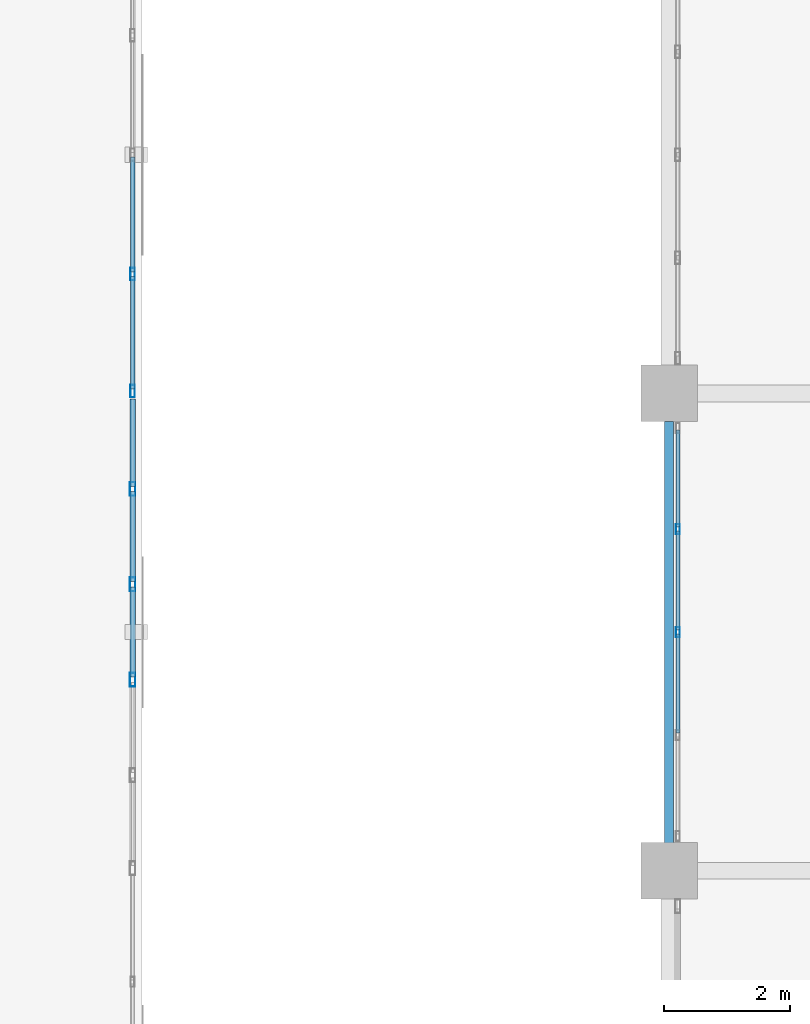
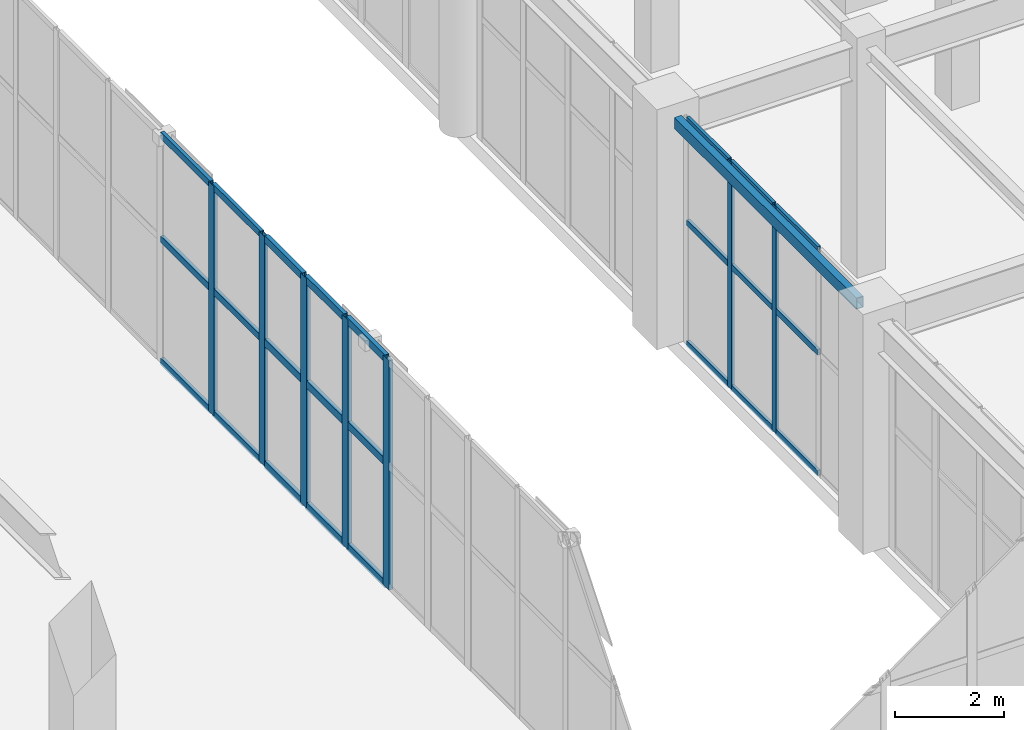
# One storey, part 27 of 139: 31 members, 1 beam, 3 elements without a shape of their own.
"""IFC4 building model written with IfcOpenShell, lengths in metres."""

import ifcopenshell
import ifcopenshell.guid

model = None  # the IFC model being written
_history = None  # IfcOwnerHistory: only IFC2X3 demands one
_inside = {}  # id of a spatial element -> (the spatial element, [elements in it])
_under = {}  # id of a project, library or spatial element -> (it, [spatial elements below it])
_declared = {}  # id of a project -> (the project, [libraries it declares])
_typed = {}  # id of a type object -> (the type object, [elements of that type])
_made_of = {}  # id of a material, layer set ... -> (it, [elements and type objects made of it])


def new_model(schema):
    """Start an empty IFC model of exactly this schema.

    Asked for "IFC4X3", IfcOpenShell would pick the latest addendum, in which some entities
    have other attributes; the version numbers below select the first issue.
    IFC2X3 requires an IfcOwnerHistory on every rooted entity: one is made here for all.
    """
    global model, _history
    if schema == "IFC4X3":
        model = ifcopenshell.file(schema_version=(4, 3, 0, 0))
    else:
        model = ifcopenshell.file(schema=schema)
    _inside.clear()
    _under.clear()
    _declared.clear()
    _typed.clear()
    _made_of.clear()
    _history = None
    if model.schema == "IFC2X3":
        org = make("IfcOrganization", Name="unknown")
        user = make(
            "IfcPersonAndOrganization",
            ThePerson=make("IfcPerson", FamilyName="unknown"),
            TheOrganization=org,
        )
        app = make(
            "IfcApplication",
            ApplicationDeveloper=org,
            Version="unknown",
            ApplicationFullName="unknown",
            ApplicationIdentifier="unknown",
        )
        _history = make(
            "IfcOwnerHistory",
            OwningUser=user,
            OwningApplication=app,
            ChangeAction="ADDED",
            CreationDate=0,
        )
    return model


def make(cls, **values):
    """One entity of the class cls with the attributes given. An attribute that is None is left unset."""
    return model.create_entity(
        cls, **{name: value for name, value in values.items() if value is not None}
    )


def rooted(cls, **values):
    """An entity with a GlobalId (a new one), such as an element, a storey or a relation."""
    return make(cls, GlobalId=ifcopenshell.guid.new(), OwnerHistory=_history, **values)


def si_unit(unit_type, name, prefix=None):
    """IfcSIUnit, for example si_unit("LENGTHUNIT", "METRE", prefix="MILLI")."""
    return make("IfcSIUnit", UnitType=unit_type, Prefix=prefix, Name=name)


def assignment(units):
    """IfcUnitAssignment: the units of a project."""
    return None if units is None else make("IfcUnitAssignment", Units=units)


def point(xyz):
    """IfcCartesianPoint."""
    return None if xyz is None else make("IfcCartesianPoint", Coordinates=xyz)


def direction(xyz):
    """IfcDirection."""
    return None if xyz is None else make("IfcDirection", DirectionRatios=xyz)


def frame(location, z_axis=None, x_axis=None):
    """IfcAxis2Placement3D, a coordinate frame: its origin and axes. An axis left out is left unset."""
    return make(
        "IfcAxis2Placement3D",
        Location=point(location),
        Axis=direction(z_axis),
        RefDirection=direction(x_axis),
    )


def frame_2d(location, x_axis=None):
    """IfcAxis2Placement2D, a coordinate frame in the plane: its origin and x axis."""
    return make(
        "IfcAxis2Placement2D", Location=point(location), RefDirection=direction(x_axis)
    )


def origin():
    """The frame at (0, 0, 0) with its axes left unset."""
    return frame((0.0, 0.0, 0.0))


def origin_2d():
    """The frame at (0, 0) in the plane with its x axis left unset."""
    return frame_2d((0.0, 0.0))


def place(relative_to, where):
    """IfcLocalPlacement: puts the frame where relative to a parent placement (None: the world)."""
    return make(
        "IfcLocalPlacement", PlacementRelTo=relative_to, RelativePlacement=where
    )


def context(
    kind, dimensions, precision=None, world=None, true_north=None, identifier=None
):
    """IfcGeometricRepresentationContext, for example the 3D "Model" context."""
    return make(
        "IfcGeometricRepresentationContext",
        ContextIdentifier=identifier,
        ContextType=kind,
        CoordinateSpaceDimension=dimensions,
        Precision=precision,
        WorldCoordinateSystem=world,
        TrueNorth=true_north,
    )


def subcontext(parent, identifier, kind, view, scale=None):
    """IfcGeometricRepresentationSubContext, for example "Body" below "Model"."""
    return make(
        "IfcGeometricRepresentationSubContext",
        ContextIdentifier=identifier,
        ContextType=kind,
        ParentContext=parent,
        TargetScale=scale,
        TargetView=view,
    )


def project(units=None, contexts=None):
    """IfcProject with its units and contexts."""
    return rooted(
        "IfcProject",
        Name="project",
        RepresentationContexts=contexts,
        UnitsInContext=assignment(units),
    )


def spatial(cls, under=None, at=None, **own):
    """A site, building, storey or space (cls), placed at a placement, below another one or the project."""
    s = rooted(cls, ObjectPlacement=at, **own)
    if under is not None:
        _under.setdefault(under.id(), (under, []))[1].append(s)
    return s


def profile(cls, at=None, kind="AREA", **sizes):
    """A parametric profile (cls). Its sizes go by their IFC names, for example OverallWidth=200.0."""
    return make(cls, ProfileType=kind, Position=at, **sizes)


def hollow_rectangle(**sizes):
    """IfcRectangleHollowProfileDef."""
    return profile("IfcRectangleHollowProfileDef", **sizes)


def extrude(swept, where, along, depth):
    """IfcExtrudedAreaSolid: the profile swept, set in the frame where, extruded along a direction by depth."""
    return make(
        "IfcExtrudedAreaSolid",
        SweptArea=swept,
        Position=where,
        ExtrudedDirection=direction(along),
        Depth=depth,
    )


def shape(context_of_items, identifier, shape_type, items):
    """IfcShapeRepresentation: the items that make up one representation, for example the "Body"."""
    return make(
        "IfcShapeRepresentation",
        ContextOfItems=context_of_items,
        RepresentationIdentifier=identifier,
        RepresentationType=shape_type,
        Items=items,
    )


def material(Name=None, Category=None):
    """IfcMaterial."""
    return make("IfcMaterial", Name=Name, Category=Category)


def layer(
    of_material, thickness, ventilated=None, Name=None, Category=None, Priority=None
):
    """IfcMaterialLayer: one layer of a wall or slab, of a material (None: an air gap)."""
    return make(
        "IfcMaterialLayer",
        Material=of_material,
        LayerThickness=thickness,
        IsVentilated=ventilated,
        Name=Name,
        Category=Category,
        Priority=Priority,
    )


def layer_set(layers, Name=None):
    """IfcMaterialLayerSet."""
    return make("IfcMaterialLayerSet", MaterialLayers=layers, LayerSetName=Name)


def material_profile(
    of_material, cross_section, Name=None, Category=None, Priority=None
):
    """IfcMaterialProfile: a cross section and its material."""
    return make(
        "IfcMaterialProfile",
        Name=Name,
        Material=of_material,
        Profile=cross_section,
        Priority=Priority,
        Category=Category,
    )


def profile_set(profiles, Name=None, composite=None):
    """IfcMaterialProfileSet."""
    return make(
        "IfcMaterialProfileSet",
        Name=Name,
        MaterialProfiles=profiles,
        CompositeProfile=composite,
    )


def made_of(thing, what):
    """Note that an element or type object is made of a material, layer set ...; save() writes the relation."""
    if what is not None:
        _made_of.setdefault(what.id(), (what, []))[1].append(thing)
    return thing


def type_object(cls, material=None, **own):
    """A type object (cls), such as IfcWallType, which elements share."""
    return made_of(rooted(cls, **own), material)


def element(
    cls,
    number,
    at=None,
    inside=None,
    cuts=None,
    type_object=None,
    material=None,
    context=None,
    identifier="Body",
    shape_type=None,
    held_by="IfcProductDefinitionShape",
    body=None,
    shapes=None,
    **own,
):
    """One element of the class cls, such as IfcWall. Its Tag is "e" and its number.

    at: its placement. inside: the storey or other place that contains it. cuts: it is an
    opening in that element (IfcRelVoidsElement). A single representation is given by context,
    identifier, shape_type and body (its items); several are given by shapes. held_by: the class
    of the entity that holds the representations. save() writes the other relations.
    """
    e = rooted(cls, Tag="e%d" % number, ObjectPlacement=at, **own)
    if body is not None:
        shapes = [shape(context, identifier, shape_type, body)]
    if shapes is not None:
        e.Representation = make(held_by, Representations=shapes)
    if inside is not None:
        _inside.setdefault(inside.id(), (inside, []))[1].append(e)
    if cuts is not None:
        rooted(
            "IfcRelVoidsElement", RelatingBuildingElement=cuts, RelatedOpeningElement=e
        )
    if type_object is not None:
        _typed.setdefault(type_object.id(), (type_object, []))[1].append(e)
    return made_of(e, material)


def aggregate(whole, parts):
    """IfcRelAggregates: a whole, such as a stair, and the parts it consists of."""
    return rooted("IfcRelAggregates", RelatingObject=whole, RelatedObjects=parts)


def save(model, path):
    """Write the relations noted so far, then the file.

    IfcRelAggregates (storeys below a building ...), IfcRelContainedInSpatialStructure (elements
    in a storey), IfcRelDefinesByType, IfcRelAssociatesMaterial and IfcRelDeclares: one each for
    every whole, place, type object, material and project.
    """
    for whole, parts in _under.values():
        aggregate(whole, parts)
    for where, things in _inside.values():
        rooted(
            "IfcRelContainedInSpatialStructure",
            RelatedElements=things,
            RelatingStructure=where,
        )
    for kind, things in _typed.values():
        rooted("IfcRelDefinesByType", RelatedObjects=things, RelatingType=kind)
    for what, things in _made_of.values():
        rooted("IfcRelAssociatesMaterial", RelatedObjects=things, RelatingMaterial=what)
    for by, libraries in _declared.values():
        rooted("IfcRelDeclares", RelatingContext=by, RelatedDefinitions=libraries)
    model.write(path)


model = new_model("IFC4")

# Units and contexts
model_context = context("Model", 3, precision=1e-05, world=origin(), true_north=direction((0.0, 1.0)))
body_context = subcontext(model_context, "Body", "Model", "MODEL_VIEW")
ifc_project = project(units=[si_unit("LENGTHUNIT", "METRE"), si_unit("AREAUNIT", "SQUARE_METRE"), si_unit("VOLUMEUNIT", "CUBIC_METRE"), si_unit("PLANEANGLEUNIT", "RADIAN"), si_unit("MASSUNIT", "GRAM", prefix="KILO")], contexts=[model_context])

# Site, building, storey
site_placement = place(None, origin())
site = spatial("IfcSite", under=ifc_project, at=site_placement, CompositionType="ELEMENT")
building_placement = place(site_placement, origin())
building = spatial("IfcBuilding", under=site, at=building_placement, Name="Xicomal Pleat Aquarium", CompositionType="ELEMENT")
storey_placement = place(building_placement, origin())
storey = spatial("IfcBuildingStorey", under=building, at=storey_placement, Name="L01", CompositionType="ELEMENT", Elevation=0.0)

# Beam
ifc_material_1 = material(Name="Structural steel A500 Gr C", Category="steel")
ifc_material_profile_1 = material_profile(ifc_material_1, hollow_rectangle(XDim=0.14990234375, YDim=0.25, WallThickness=0.010009765625, at=origin_2d()), Name="OR 250x150x10")
ifc_profile_set_1 = profile_set([ifc_material_profile_1], Name="Structural steel A500 Gr C")
beam_type = type_object("IfcBeamType", Name="BM-STL-OR250", PredefinedType="SPANDREL", material=ifc_profile_set_1)
beam_placement = place(storey_placement, frame((43.800048828125, 46.044921875, 4.97509765625), z_axis=(0.0, 1.0, 0.0), x_axis=(-1.0, 0.0, 0.0)))
element("IfcBeam", 1, at=beam_placement, inside=storey, type_object=beam_type, Name="L01 framing beam FGY-L01-06-G-H", PredefinedType="SPANDREL", context=body_context, shape_type="SweptSolid", body=[
    extrude(hollow_rectangle(XDim=0.14990234375, YDim=0.25, WallThickness=0.010009765625, at=origin_2d()), origin(), (0.0, 0.0, 1.0), 6.7099609375),
])

# Curtain wall, members
ifc_material_2 = material(Name="Bronze anodized aluminium 6063-T6", Category="aluminium")
ifc_layer_1 = layer(ifc_material_2, 0.159912109375)
ifc_layer_set_1 = layer_set([ifc_layer_1], Name="Bronze anodized aluminium 6063-T6")
curtain_wall_type_1 = type_object("IfcCurtainWallType", Name="CW-SYS-01", PredefinedType="NOTDEFINED", material=ifc_layer_set_1)
curtain_wall_1_placement = place(storey_placement, origin())
curtain_wall_1 = element("IfcCurtainWall", 2, at=curtain_wall_1_placement, inside=storey, type_object=curtain_wall_type_1, Name="L01 unitised curtain wall CW-L01-030", PredefinedType="NOTDEFINED")
ifc_material_3 = material(Name="Bronze anodized aluminium 6063-T6", Category="aluminium")
ifc_material_profile_2 = material_profile(ifc_material_3, hollow_rectangle(XDim=0.06494140625, YDim=0.159912109375, WallThickness=0.00390625, at=origin_2d()), Name="ALU MULL 65x160")
ifc_profile_set_2 = profile_set([ifc_material_profile_2], Name="Bronze anodized aluminium 6063-T6")
member_type_1 = type_object("IfcMemberType", Name="CWM-65x160", PredefinedType="MULLION", material=ifc_profile_set_2)
member_1_placement = place(storey_placement, frame((43.93994140625, 49.39990234375, 0.0), z_axis=(0.0, 0.0, 1.0), x_axis=(-1.0, 0.0, 0.0)))
member_1 = element("IfcMember", 3, at=member_1_placement, type_object=member_type_1, Name="CW-01 mullion 3", PredefinedType="MULLION", context=body_context, shape_type="SweptSolid", body=[
    extrude(hollow_rectangle(XDim=0.06494140625, YDim=0.159912109375, WallThickness=0.00390625, at=origin_2d()), origin(), (0.0, 0.0, 1.0), 5.10009765625),
])
member_2_placement = place(storey_placement, frame((43.93994140625, 51.0400390625, 0.0), z_axis=(0.0, 0.0, 1.0), x_axis=(-1.0, 0.0, 0.0)))
member_2 = element("IfcMember", 4, at=member_2_placement, type_object=member_type_1, Name="CW-01 mullion 4", PredefinedType="MULLION", context=body_context, shape_type="SweptSolid", body=[
    extrude(hollow_rectangle(XDim=0.06494140625, YDim=0.159912109375, WallThickness=0.00390625, at=origin_2d()), origin(), (0.0, 0.0, 1.0), 5.10009765625),
])

ifc_material_4 = material(Name="Bronze anodized aluminium 6063-T6", Category="aluminium")
ifc_layer_2 = layer(ifc_material_4, 0.159912109375)
ifc_layer_set_2 = layer_set([ifc_layer_2], Name="Bronze anodized aluminium 6063-T6")
curtain_wall_type_2 = type_object("IfcCurtainWallType", Name="CW-SYS-06", PredefinedType="NOTDEFINED", material=ifc_layer_set_2)
curtain_wall_2_placement = place(storey_placement, origin())
curtain_wall_2 = element("IfcCurtainWall", 5, at=curtain_wall_2_placement, inside=storey, type_object=curtain_wall_type_2, Name="L01 unitised curtain wall CW-L01-025", PredefinedType="NOTDEFINED")
ifc_material_5 = material(Name="Bronze anodized aluminium 6063-T6", Category="aluminium")
ifc_material_profile_3 = material_profile(ifc_material_5, hollow_rectangle(XDim=0.074951171875, YDim=0.199951171875, WallThickness=0.00439453125, at=origin_2d()), Name="ALU MULL 75x200")
ifc_profile_set_3 = profile_set([ifc_material_profile_3], Name="Bronze anodized aluminium 6063-T6")
member_type_2 = type_object("IfcMemberType", Name="CWM-75x200", PredefinedType="MULLION", material=ifc_profile_set_3)
member_3_placement = place(storey_placement, frame((35.260009765625, 55.10009765625, 0.0), z_axis=(0.0, 0.0, 1.0), x_axis=(1.0, 0.0, 0.0)))
member_3 = element("IfcMember", 6, at=member_3_placement, type_object=member_type_2, Name="CW-06 mullion 4", PredefinedType="MULLION", context=body_context, shape_type="SweptSolid", body=[
    extrude(hollow_rectangle(XDim=0.074951171875, YDim=0.199951171875, WallThickness=0.00439453125, at=origin_2d()), origin(), (0.0, 0.0, 1.0), 5.159912109375),
])
member_4_placement = place(storey_placement, frame((35.260009765625, 53.237548828125, 0.0), z_axis=(0.0, 0.0, 1.0), x_axis=(1.0, 0.0, 0.0)))
member_4 = element("IfcMember", 7, at=member_4_placement, type_object=member_type_2, Name="CW-06 mullion 5", PredefinedType="MULLION", context=body_context, shape_type="SweptSolid", body=[
    extrude(hollow_rectangle(XDim=0.074951171875, YDim=0.199951171875, WallThickness=0.00439453125, at=origin_2d()), origin(), (0.0, 0.0, 1.0), 5.159912109375),
])

ifc_material_6 = material(Name="Bronze anodized aluminium 6063-T6", Category="aluminium")
ifc_layer_3 = layer(ifc_material_6, 0.159912109375)
ifc_layer_set_3 = layer_set([ifc_layer_3], Name="Bronze anodized aluminium 6063-T6")
curtain_wall_type_3 = type_object("IfcCurtainWallType", Name="CW-SYS-11", PredefinedType="NOTDEFINED", material=ifc_layer_set_3)
curtain_wall_3_placement = place(storey_placement, origin())
curtain_wall_3 = element("IfcCurtainWall", 8, at=curtain_wall_3_placement, inside=storey, type_object=curtain_wall_type_3, Name="L01 unitised curtain wall CW-L01-026", PredefinedType="NOTDEFINED")
ifc_material_7 = material(Name="Bronze anodized aluminium 6063-T6", Category="aluminium")
ifc_material_profile_4 = material_profile(ifc_material_7, hollow_rectangle(XDim=0.0849609375, YDim=0.219970703125, WallThickness=0.0048828125, at=origin_2d()), Name="ALU MULL 85x220")
ifc_profile_set_4 = profile_set([ifc_material_profile_4], Name="Bronze anodized aluminium 6063-T6")
member_type_3 = type_object("IfcMemberType", Name="CWM-85x220", PredefinedType="MULLION", material=ifc_profile_set_4)
member_5_placement = place(storey_placement, frame((35.260009765625, 51.679931640625, 0.0), z_axis=(0.0, 0.0, 1.0), x_axis=(1.0, 0.0, 0.0)))
member_5 = element("IfcMember", 9, at=member_5_placement, type_object=member_type_3, Name="CW-11 mullion 2", PredefinedType="MULLION", context=body_context, shape_type="SweptSolid", body=[
    extrude(hollow_rectangle(XDim=0.0849609375, YDim=0.219970703125, WallThickness=0.0048828125, at=origin_2d()), origin(), (0.0, 0.0, 1.0), 5.159912109375),
])
member_6_placement = place(storey_placement, frame((35.260009765625, 50.159912109375, 0.0), z_axis=(0.0, 0.0, 1.0), x_axis=(1.0, 0.0, 0.0)))
member_6 = element("IfcMember", 10, at=member_6_placement, type_object=member_type_3, Name="CW-11 mullion 3", PredefinedType="MULLION", context=body_context, shape_type="SweptSolid", body=[
    extrude(hollow_rectangle(XDim=0.0849609375, YDim=0.219970703125, WallThickness=0.0048828125, at=origin_2d()), origin(), (0.0, 0.0, 1.0), 5.159912109375),
])
member_7_placement = place(storey_placement, frame((35.260009765625, 48.639892578125, 0.0), z_axis=(0.0, 0.0, 1.0), x_axis=(1.0, 0.0, 0.0)))
member_7 = element("IfcMember", 11, at=member_7_placement, type_object=member_type_3, Name="CW-11 mullion 4", PredefinedType="MULLION", context=body_context, shape_type="SweptSolid", body=[
    extrude(hollow_rectangle(XDim=0.0849609375, YDim=0.219970703125, WallThickness=0.0048828125, at=origin_2d()), origin(), (0.0, 0.0, 1.0), 5.159912109375),
])

# Member
ifc_material_8 = material(Name="Bronze anodized aluminium 6063-T6", Category="aluminium")
ifc_material_profile_5 = material_profile(ifc_material_8, hollow_rectangle(XDim=0.06494140625, YDim=0.1298828125, WallThickness=0.00390625, at=origin_2d()), Name="ALU TRAN 65x130")
ifc_profile_set_5 = profile_set([ifc_material_profile_5], Name="Bronze anodized aluminium 6063-T6")
member_type_4 = type_object("IfcMemberType", Name="CWT-65x130", PredefinedType="USERDEFINED", material=ifc_profile_set_5)
member_8_placement = place(storey_placement, frame((43.93994140625, 47.79248046875, 0.032470703125), z_axis=(0.0, 1.0, 0.0), x_axis=(-1.0, 0.0, 0.0)))
member_8 = element("IfcMember", 12, at=member_8_placement, type_object=member_type_4, Name="CW-01 transom 2.1", ObjectType="TRANSOM", PredefinedType="USERDEFINED", context=body_context, shape_type="SweptSolid", body=[
    extrude(hollow_rectangle(XDim=0.06494140625, YDim=0.1298828125, WallThickness=0.00390625, at=origin_2d()), origin(), (0.0, 0.0, 1.0), 1.574951171875),
])

member_9_placement = place(storey_placement, frame((43.93994140625, 47.79248046875, 2.75390625), z_axis=(0.0, 1.0, 0.0), x_axis=(-1.0, 0.0, 0.0)))
member_9 = element("IfcMember", 13, at=member_9_placement, type_object=member_type_4, Name="CW-01 transom 2.2", ObjectType="TRANSOM", PredefinedType="USERDEFINED", context=body_context, shape_type="SweptSolid", body=[
    extrude(hollow_rectangle(XDim=0.06494140625, YDim=0.1298828125, WallThickness=0.00390625, at=origin_2d()), origin(), (0.0, 0.0, 1.0), 1.574951171875),
])

member_10_placement = place(storey_placement, frame((43.93994140625, 47.79248046875, 5.0673828125), z_axis=(0.0, 1.0, 0.0), x_axis=(-1.0, 0.0, 0.0)))
member_10 = element("IfcMember", 14, at=member_10_placement, type_object=member_type_4, Name="CW-01 transom 2.3", ObjectType="TRANSOM", PredefinedType="USERDEFINED", context=body_context, shape_type="SweptSolid", body=[
    extrude(hollow_rectangle(XDim=0.06494140625, YDim=0.1298828125, WallThickness=0.00390625, at=origin_2d()), origin(), (0.0, 0.0, 1.0), 1.574951171875),
])

member_11_placement = place(storey_placement, frame((43.93994140625, 49.4326171875, 0.032470703125), z_axis=(0.0, 1.0, 0.0), x_axis=(-1.0, 0.0, 0.0)))
member_11 = element("IfcMember", 15, at=member_11_placement, type_object=member_type_4, Name="CW-01 transom 3.1", ObjectType="TRANSOM", PredefinedType="USERDEFINED", context=body_context, shape_type="SweptSolid", body=[
    extrude(hollow_rectangle(XDim=0.06494140625, YDim=0.1298828125, WallThickness=0.00390625, at=origin_2d()), origin(), (0.0, 0.0, 1.0), 1.574951171875),
])

member_12_placement = place(storey_placement, frame((43.93994140625, 49.4326171875, 2.75390625), z_axis=(0.0, 1.0, 0.0), x_axis=(-1.0, 0.0, 0.0)))
member_12 = element("IfcMember", 16, at=member_12_placement, type_object=member_type_4, Name="CW-01 transom 3.2", ObjectType="TRANSOM", PredefinedType="USERDEFINED", context=body_context, shape_type="SweptSolid", body=[
    extrude(hollow_rectangle(XDim=0.06494140625, YDim=0.1298828125, WallThickness=0.00390625, at=origin_2d()), origin(), (0.0, 0.0, 1.0), 1.574951171875),
])

member_13_placement = place(storey_placement, frame((43.93994140625, 49.4326171875, 5.0673828125), z_axis=(0.0, 1.0, 0.0), x_axis=(-1.0, 0.0, 0.0)))
member_13 = element("IfcMember", 17, at=member_13_placement, type_object=member_type_4, Name="CW-01 transom 3.3", ObjectType="TRANSOM", PredefinedType="USERDEFINED", context=body_context, shape_type="SweptSolid", body=[
    extrude(hollow_rectangle(XDim=0.06494140625, YDim=0.1298828125, WallThickness=0.00390625, at=origin_2d()), origin(), (0.0, 0.0, 1.0), 1.574951171875),
])

member_14_placement = place(storey_placement, frame((43.93994140625, 51.072509765625, 0.032470703125), z_axis=(0.0, 1.0, 0.0), x_axis=(-1.0, 0.0, 0.0)))
member_14 = element("IfcMember", 18, at=member_14_placement, type_object=member_type_4, Name="CW-01 transom 4.1", ObjectType="TRANSOM", PredefinedType="USERDEFINED", context=body_context, shape_type="SweptSolid", body=[
    extrude(hollow_rectangle(XDim=0.06494140625, YDim=0.1298828125, WallThickness=0.00390625, at=origin_2d()), origin(), (0.0, 0.0, 1.0), 1.54248046875),
])

member_15_placement = place(storey_placement, frame((43.93994140625, 51.072509765625, 2.75390625), z_axis=(0.0, 1.0, 0.0), x_axis=(-1.0, 0.0, 0.0)))
member_15 = element("IfcMember", 19, at=member_15_placement, type_object=member_type_4, Name="CW-01 transom 4.2", ObjectType="TRANSOM", PredefinedType="USERDEFINED", context=body_context, shape_type="SweptSolid", body=[
    extrude(hollow_rectangle(XDim=0.06494140625, YDim=0.1298828125, WallThickness=0.00390625, at=origin_2d()), origin(), (0.0, 0.0, 1.0), 1.54248046875),
])

member_16_placement = place(storey_placement, frame((43.93994140625, 51.072509765625, 5.0673828125), z_axis=(0.0, 1.0, 0.0), x_axis=(-1.0, 0.0, 0.0)))
member_16 = element("IfcMember", 20, at=member_16_placement, type_object=member_type_4, Name="CW-01 transom 4.3", ObjectType="TRANSOM", PredefinedType="USERDEFINED", context=body_context, shape_type="SweptSolid", body=[
    extrude(hollow_rectangle(XDim=0.06494140625, YDim=0.1298828125, WallThickness=0.00390625, at=origin_2d()), origin(), (0.0, 0.0, 1.0), 1.54248046875),
])

aggregate(curtain_wall_1, [member_1, member_2, member_8, member_9, member_10, member_11, member_12, member_13, member_14, member_15, member_16])

ifc_material_9 = material(Name="Bronze anodized aluminium 6063-T6", Category="aluminium")
ifc_material_profile_6 = material_profile(ifc_material_9, hollow_rectangle(XDim=0.074951171875, YDim=0.14990234375, WallThickness=0.00439453125, at=origin_2d()), Name="ALU TRAN 75x150")
ifc_profile_set_6 = profile_set([ifc_material_profile_6], Name="Bronze anodized aluminium 6063-T6")
member_type_5 = type_object("IfcMemberType", Name="CWT-75x150", PredefinedType="USERDEFINED", material=ifc_profile_set_6)
member_17_placement = place(storey_placement, frame((35.260009765625, 56.96240234375, 0.03759765625), z_axis=(0.0, -1.0, 0.0), x_axis=(1.0, 0.0, 0.0)))
member_17 = element("IfcMember", 21, at=member_17_placement, type_object=member_type_5, Name="CW-06 transom 3.1", ObjectType="TRANSOM", PredefinedType="USERDEFINED", context=body_context, shape_type="SweptSolid", body=[
    extrude(hollow_rectangle(XDim=0.074951171875, YDim=0.14990234375, WallThickness=0.00439453125, at=origin_2d()), origin(), (0.0, 0.0, 1.0), 1.824951171875),
])

member_18_placement = place(storey_placement, frame((35.260009765625, 56.96240234375, 2.785888671875), z_axis=(0.0, -1.0, 0.0), x_axis=(1.0, 0.0, 0.0)))
member_18 = element("IfcMember", 22, at=member_18_placement, type_object=member_type_5, Name="CW-06 transom 3.2", ObjectType="TRANSOM", PredefinedType="USERDEFINED", context=body_context, shape_type="SweptSolid", body=[
    extrude(hollow_rectangle(XDim=0.074951171875, YDim=0.14990234375, WallThickness=0.00439453125, at=origin_2d()), origin(), (0.0, 0.0, 1.0), 1.824951171875),
])

member_19_placement = place(storey_placement, frame((35.260009765625, 56.96240234375, 5.12255859375), z_axis=(0.0, -1.0, 0.0), x_axis=(1.0, 0.0, 0.0)))
member_19 = element("IfcMember", 23, at=member_19_placement, type_object=member_type_5, Name="CW-06 transom 3.3", ObjectType="TRANSOM", PredefinedType="USERDEFINED", context=body_context, shape_type="SweptSolid", body=[
    extrude(hollow_rectangle(XDim=0.074951171875, YDim=0.14990234375, WallThickness=0.00439453125, at=origin_2d()), origin(), (0.0, 0.0, 1.0), 1.824951171875),
])

member_20_placement = place(storey_placement, frame((35.260009765625, 55.0625, 0.03759765625), z_axis=(0.0, -1.0, 0.0), x_axis=(1.0, 0.0, 0.0)))
member_20 = element("IfcMember", 24, at=member_20_placement, type_object=member_type_5, Name="CW-06 transom 4.1", ObjectType="TRANSOM", PredefinedType="USERDEFINED", context=body_context, shape_type="SweptSolid", body=[
    extrude(hollow_rectangle(XDim=0.074951171875, YDim=0.14990234375, WallThickness=0.00439453125, at=origin_2d()), origin(), (0.0, 0.0, 1.0), 1.78759765625),
])

member_21_placement = place(storey_placement, frame((35.260009765625, 55.0625, 2.785888671875), z_axis=(0.0, -1.0, 0.0), x_axis=(1.0, 0.0, 0.0)))
member_21 = element("IfcMember", 25, at=member_21_placement, type_object=member_type_5, Name="CW-06 transom 4.2", ObjectType="TRANSOM", PredefinedType="USERDEFINED", context=body_context, shape_type="SweptSolid", body=[
    extrude(hollow_rectangle(XDim=0.074951171875, YDim=0.14990234375, WallThickness=0.00439453125, at=origin_2d()), origin(), (0.0, 0.0, 1.0), 1.78759765625),
])

member_22_placement = place(storey_placement, frame((35.260009765625, 55.0625, 5.12255859375), z_axis=(0.0, -1.0, 0.0), x_axis=(1.0, 0.0, 0.0)))
member_22 = element("IfcMember", 26, at=member_22_placement, type_object=member_type_5, Name="CW-06 transom 4.3", ObjectType="TRANSOM", PredefinedType="USERDEFINED", context=body_context, shape_type="SweptSolid", body=[
    extrude(hollow_rectangle(XDim=0.074951171875, YDim=0.14990234375, WallThickness=0.00439453125, at=origin_2d()), origin(), (0.0, 0.0, 1.0), 1.78759765625),
])

aggregate(curtain_wall_2, [member_3, member_4, member_17, member_18, member_19, member_20, member_21, member_22])

ifc_material_10 = material(Name="Bronze anodized aluminium 6063-T6", Category="aluminium")
ifc_material_profile_7 = material_profile(ifc_material_10, hollow_rectangle(XDim=0.0849609375, YDim=0.169921875, WallThickness=0.0048828125, at=origin_2d()), Name="ALU TRAN 85x170")
ifc_profile_set_7 = profile_set([ifc_material_profile_7], Name="Bronze anodized aluminium 6063-T6")
member_type_6 = type_object("IfcMemberType", Name="CWT-85x170", PredefinedType="USERDEFINED", material=ifc_profile_set_7)
member_23_placement = place(storey_placement, frame((35.260009765625, 53.114990234375, 0.04248046875), z_axis=(0.0, -1.0, 0.0), x_axis=(1.0, 0.0, 0.0)))
member_23 = element("IfcMember", 27, at=member_23_placement, type_object=member_type_6, Name="CW-11 transom 1.1", ObjectType="TRANSOM", PredefinedType="USERDEFINED", context=body_context, shape_type="SweptSolid", body=[
    extrude(hollow_rectangle(XDim=0.0849609375, YDim=0.169921875, WallThickness=0.0048828125, at=origin_2d()), origin(), (0.0, 0.0, 1.0), 1.392578125),
])

member_24_placement = place(storey_placement, frame((35.260009765625, 53.114990234375, 2.785888671875), z_axis=(0.0, -1.0, 0.0), x_axis=(1.0, 0.0, 0.0)))
member_24 = element("IfcMember", 28, at=member_24_placement, type_object=member_type_6, Name="CW-11 transom 1.2", ObjectType="TRANSOM", PredefinedType="USERDEFINED", context=body_context, shape_type="SweptSolid", body=[
    extrude(hollow_rectangle(XDim=0.0849609375, YDim=0.169921875, WallThickness=0.0048828125, at=origin_2d()), origin(), (0.0, 0.0, 1.0), 1.392578125),
])

member_25_placement = place(storey_placement, frame((35.260009765625, 53.114990234375, 5.117431640625), z_axis=(0.0, -1.0, 0.0), x_axis=(1.0, 0.0, 0.0)))
member_25 = element("IfcMember", 29, at=member_25_placement, type_object=member_type_6, Name="CW-11 transom 1.3", ObjectType="TRANSOM", PredefinedType="USERDEFINED", context=body_context, shape_type="SweptSolid", body=[
    extrude(hollow_rectangle(XDim=0.0849609375, YDim=0.169921875, WallThickness=0.0048828125, at=origin_2d()), origin(), (0.0, 0.0, 1.0), 1.392578125),
])

member_26_placement = place(storey_placement, frame((35.260009765625, 51.637451171875, 0.04248046875), z_axis=(0.0, -1.0, 0.0), x_axis=(1.0, 0.0, 0.0)))
member_26 = element("IfcMember", 30, at=member_26_placement, type_object=member_type_6, Name="CW-11 transom 2.1", ObjectType="TRANSOM", PredefinedType="USERDEFINED", context=body_context, shape_type="SweptSolid", body=[
    extrude(hollow_rectangle(XDim=0.0849609375, YDim=0.169921875, WallThickness=0.0048828125, at=origin_2d()), origin(), (0.0, 0.0, 1.0), 1.43505859375),
])

member_27_placement = place(storey_placement, frame((35.260009765625, 51.637451171875, 2.785888671875), z_axis=(0.0, -1.0, 0.0), x_axis=(1.0, 0.0, 0.0)))
member_27 = element("IfcMember", 31, at=member_27_placement, type_object=member_type_6, Name="CW-11 transom 2.2", ObjectType="TRANSOM", PredefinedType="USERDEFINED", context=body_context, shape_type="SweptSolid", body=[
    extrude(hollow_rectangle(XDim=0.0849609375, YDim=0.169921875, WallThickness=0.0048828125, at=origin_2d()), origin(), (0.0, 0.0, 1.0), 1.43505859375),
])

member_28_placement = place(storey_placement, frame((35.260009765625, 51.637451171875, 5.117431640625), z_axis=(0.0, -1.0, 0.0), x_axis=(1.0, 0.0, 0.0)))
member_28 = element("IfcMember", 32, at=member_28_placement, type_object=member_type_6, Name="CW-11 transom 2.3", ObjectType="TRANSOM", PredefinedType="USERDEFINED", context=body_context, shape_type="SweptSolid", body=[
    extrude(hollow_rectangle(XDim=0.0849609375, YDim=0.169921875, WallThickness=0.0048828125, at=origin_2d()), origin(), (0.0, 0.0, 1.0), 1.43505859375),
])

member_29_placement = place(storey_placement, frame((35.260009765625, 50.117431640625, 0.04248046875), z_axis=(0.0, -1.0, 0.0), x_axis=(1.0, 0.0, 0.0)))
member_29 = element("IfcMember", 33, at=member_29_placement, type_object=member_type_6, Name="CW-11 transom 3.1", ObjectType="TRANSOM", PredefinedType="USERDEFINED", context=body_context, shape_type="SweptSolid", body=[
    extrude(hollow_rectangle(XDim=0.0849609375, YDim=0.169921875, WallThickness=0.0048828125, at=origin_2d()), origin(), (0.0, 0.0, 1.0), 1.434814453125),
])

member_30_placement = place(storey_placement, frame((35.260009765625, 50.117431640625, 2.785888671875), z_axis=(0.0, -1.0, 0.0), x_axis=(1.0, 0.0, 0.0)))
member_30 = element("IfcMember", 34, at=member_30_placement, type_object=member_type_6, Name="CW-11 transom 3.2", ObjectType="TRANSOM", PredefinedType="USERDEFINED", context=body_context, shape_type="SweptSolid", body=[
    extrude(hollow_rectangle(XDim=0.0849609375, YDim=0.169921875, WallThickness=0.0048828125, at=origin_2d()), origin(), (0.0, 0.0, 1.0), 1.434814453125),
])

member_31_placement = place(storey_placement, frame((35.260009765625, 50.117431640625, 5.117431640625), z_axis=(0.0, -1.0, 0.0), x_axis=(1.0, 0.0, 0.0)))
member_31 = element("IfcMember", 35, at=member_31_placement, type_object=member_type_6, Name="CW-11 transom 3.3", ObjectType="TRANSOM", PredefinedType="USERDEFINED", context=body_context, shape_type="SweptSolid", body=[
    extrude(hollow_rectangle(XDim=0.0849609375, YDim=0.169921875, WallThickness=0.0048828125, at=origin_2d()), origin(), (0.0, 0.0, 1.0), 1.434814453125),
])

aggregate(curtain_wall_3, [member_5, member_6, member_7, member_23, member_24, member_25, member_26, member_27, member_28, member_29, member_30, member_31])

save(model, "model.ifc")
